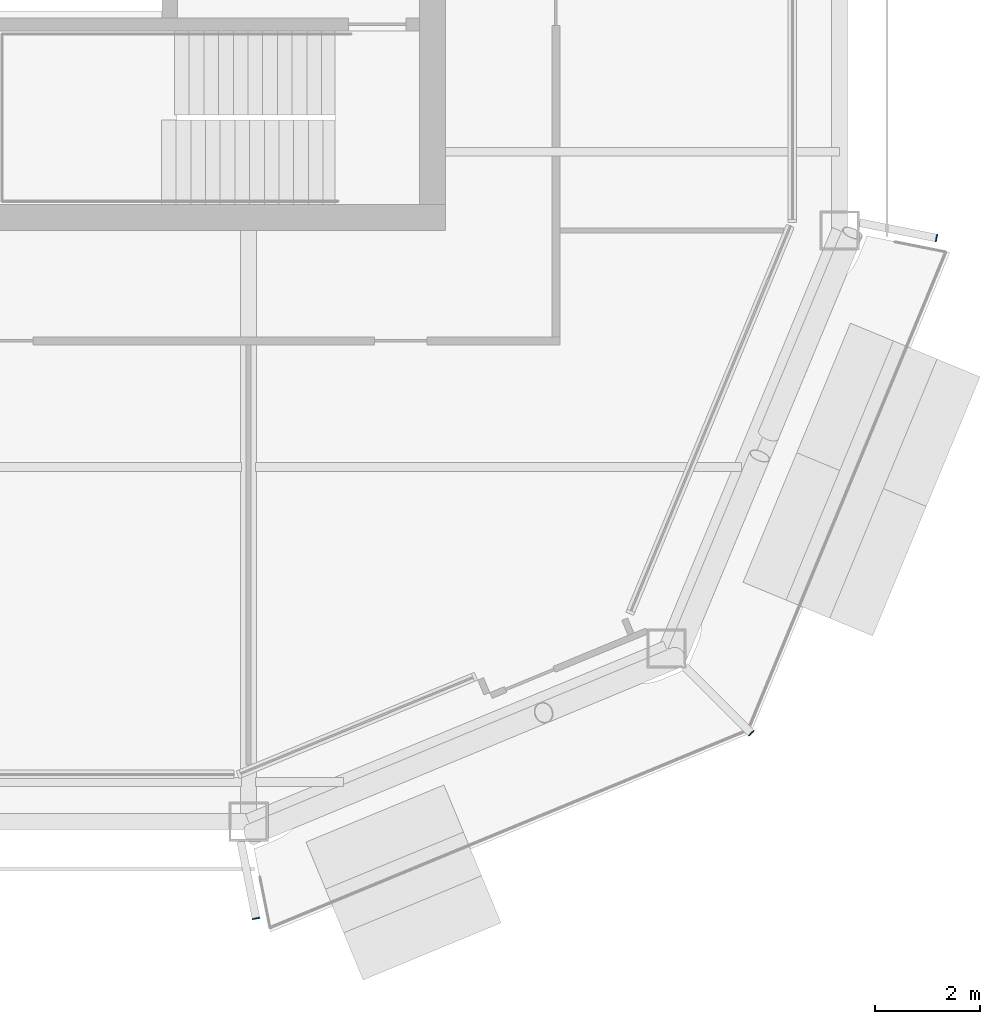
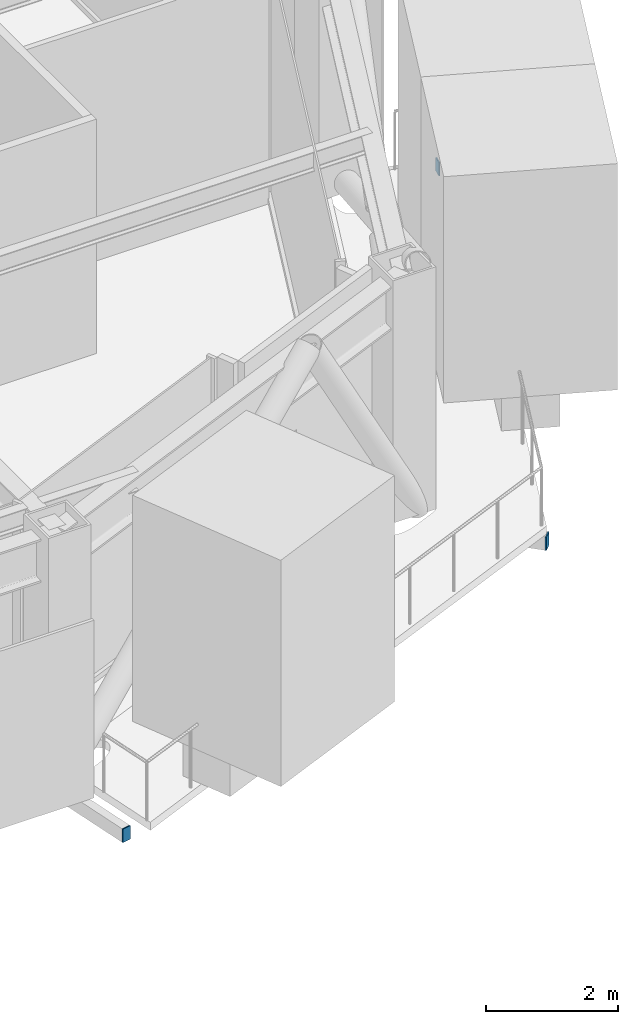
# One storey, part 15 of 21: 3 discrete accessories.
"""IFC4 building model written with IfcOpenShell, lengths in metres."""

from ifc_helpers import new_model, si_unit, direction, frame, origin, origin_2d, place, context, subcontext, project, spatial, rectangle, extrude, material, layer, layer_set, type_object, element, save


model = new_model("IFC4")

# Units and contexts
model_context = context("Model", 3, precision=1e-05, world=origin(), true_north=direction((0.0, 1.0)))
body_context = subcontext(model_context, "Body", "Model", "MODEL_VIEW")
ifc_project = project(units=[si_unit("LENGTHUNIT", "METRE"), si_unit("AREAUNIT", "SQUARE_METRE"), si_unit("VOLUMEUNIT", "CUBIC_METRE"), si_unit("PLANEANGLEUNIT", "RADIAN"), si_unit("MASSUNIT", "GRAM", prefix="KILO")], contexts=[model_context])

# Site, building, storey
site_placement = place(None, origin())
site = spatial("IfcSite", under=ifc_project, at=site_placement, CompositionType="ELEMENT")
building_placement = place(site_placement, origin())
building = spatial("IfcBuilding", under=site, at=building_placement, Name="Siwar Civic Tower", CompositionType="ELEMENT")
storey_placement = place(building_placement, frame((0.0, 0.0, 303.199951171875)))
storey = spatial("IfcBuildingStorey", under=building, at=storey_placement, Name="L65", CompositionType="ELEMENT", Elevation=303.199951171875)

# Discrete accessories
ifc_material = material(Name="Steel S355", Category="steel")
ifc_layer = layer(ifc_material, 0.02001953125)
ifc_layer_set = layer_set([ifc_layer], Name="Steel S355")
discrete_accessory_type = type_object("IfcDiscreteAccessoryType", Name="STR-END-CAP", PredefinedType="USERDEFINED", material=ifc_layer_set)
for number, where, z_axis, x_axis, name in (
    (1, (13.642578125, -26.5947265625, -0.39990234375), (0.0, 0.0, 1.0), (0.19509032217, -0.980785280373, 0.0), "End cap plate Balcony cantilever beam SE 1"),
    (2, (23.0693359375, -23.0693359375, -0.39990234375), (0.0, 0.0, 1.0), (0.707106781187, -0.707106781187, 0.0), "End cap plate Balcony cantilever beam SE 2"),
    (3, (26.5947265625, -13.642578125, -0.39990234375), (0.0, 0.0, 1.0), (0.980785280373, -0.19509032217, 0.0), "End cap plate Balcony cantilever beam SE 3"),
):
    element("IfcDiscreteAccessory", number, at=place(storey_placement, frame(where, z_axis=z_axis, x_axis=x_axis)), inside=storey, type_object=discrete_accessory_type, Name=name, ObjectType="END CAP PLATE", PredefinedType="USERDEFINED", context=body_context, shape_type="SweptSolid", body=[
        extrude(rectangle(XDim=0.02001953125, YDim=0.14990234375, at=origin_2d()), origin(), (0.0, 0.0, 1.0), 0.25),
    ])

save(model, "model.ifc")
